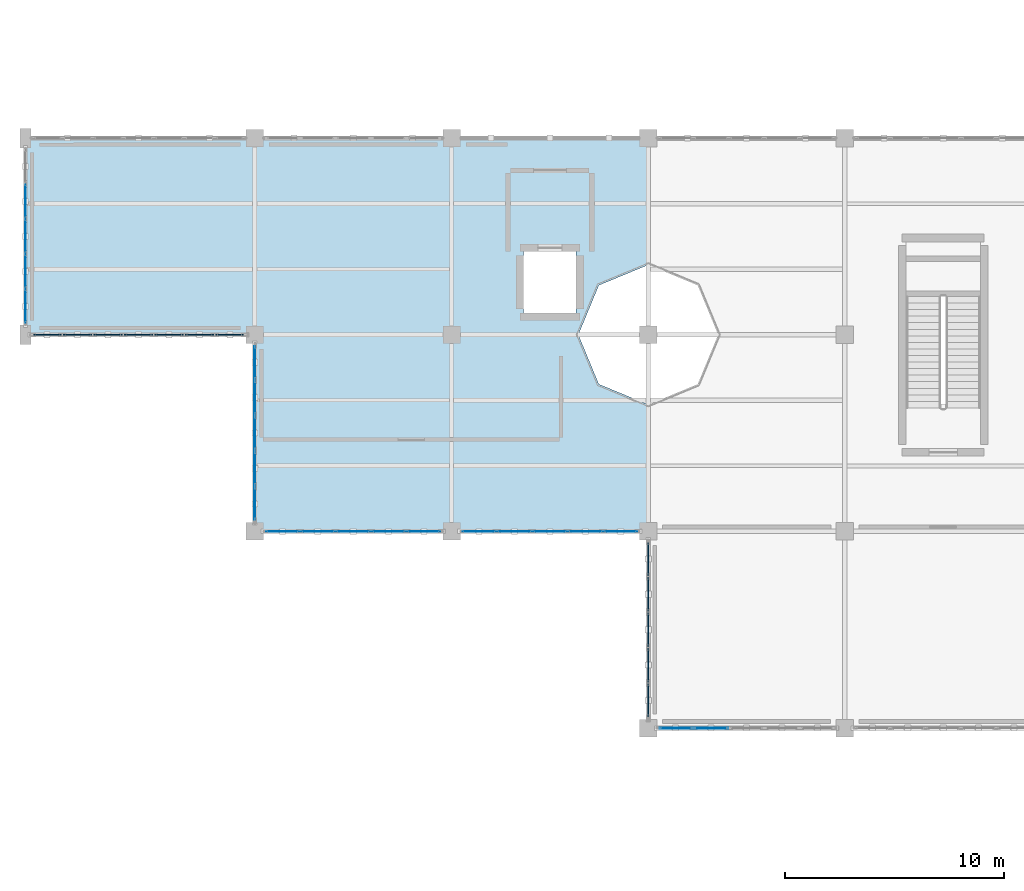
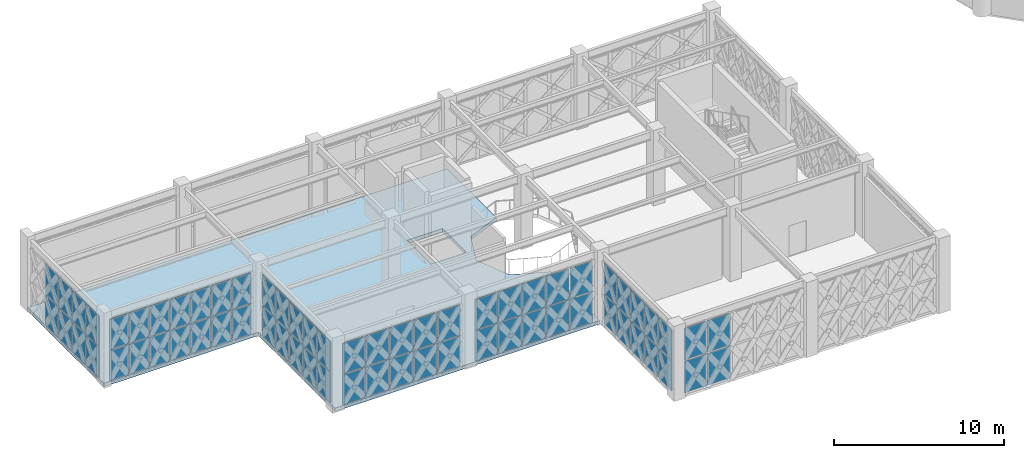
# One storey, part 61 of 86: 66 plates, 1 slab, 7 elements without a shape of their own.
"""IFC4 building model written with IfcOpenShell, lengths in metres."""

from ifc_helpers import new_model, si_unit, direction, frame, origin, origin_2d, place, context, subcontext, project, spatial, polyline, rectangle, outline, extrude, material, layer, layer_set, type_object, element, aggregate, save


model = new_model("IFC4")

# Units and contexts
model_context = context("Model", 3, precision=1e-05, world=origin(), true_north=direction((0.0, 1.0)))
body_context = subcontext(model_context, "Body", "Model", "MODEL_VIEW")
ifc_project = project(units=[si_unit("LENGTHUNIT", "METRE"), si_unit("AREAUNIT", "SQUARE_METRE"), si_unit("VOLUMEUNIT", "CUBIC_METRE"), si_unit("PLANEANGLEUNIT", "RADIAN"), si_unit("MASSUNIT", "GRAM", prefix="KILO")], contexts=[model_context])

# Site, building, storey
site_placement = place(None, origin())
site = spatial("IfcSite", under=ifc_project, at=site_placement, CompositionType="ELEMENT")
building_placement = place(site_placement, origin())
building = spatial("IfcBuilding", under=site, at=building_placement, Name="Haizhuo Lancet Aquarium", CompositionType="ELEMENT")
storey_placement = place(building_placement, frame((0.0, 0.0, 16.199951171875)))
storey = spatial("IfcBuildingStorey", under=building, at=storey_placement, Name="L03", CompositionType="ELEMENT", Elevation=16.199951171875)

# Curtain wall, plates
ifc_material_1 = material(Name="Aluminium 6063-T6", Category="aluminium")
curtain_wall_type_1 = type_object("IfcCurtainWallType", Name="CWD-8010x4550", PredefinedType="NOTDEFINED", material=ifc_material_1)
curtain_wall_1_placement = place(storey_placement, origin())
curtain_wall_1 = element("IfcCurtainWall", 1, at=curtain_wall_1_placement, inside=storey, type_object=curtain_wall_type_1, Name="L03 curtain wall CW-V6-L03-229", PredefinedType="NOTDEFINED")
ifc_material_2 = material(Name="Laminated Low-E Glass", Category="glass")
ifc_layer_1 = layer(ifc_material_2, 0.028076171875)
ifc_layer_set_1 = layer_set([ifc_layer_1], Name="Laminated Low-E Glass")
plate_type_1 = type_object("IfcPlateType", Name="CW-PNL-1", PredefinedType="CURTAIN_PANEL", material=ifc_layer_set_1)
plate_1_placement = place(storey_placement, frame((-82.5, -16.68798828125, 0.06494140625), z_axis=(0.0, 0.0, 1.0), x_axis=(0.0, 1.0, 0.0)))
plate_1 = element("IfcPlate", 2, at=plate_1_placement, type_object=plate_type_1, Name="CWD-80x45 panel 1.1", PredefinedType="CURTAIN_PANEL", context=body_context, shape_type="SweptSolid", body=[
    extrude(rectangle(XDim=1.50390625, YDim=0.028076171875, at=origin_2d()), origin(), (0.0, 0.0, 1.0), 2.177978515625),
])
plate_2_placement = place(storey_placement, frame((-82.5, -16.68798828125, 2.30712890625), z_axis=(0.0, 0.0, 1.0), x_axis=(0.0, 1.0, 0.0)))
plate_2 = element("IfcPlate", 3, at=plate_2_placement, type_object=plate_type_1, Name="CWD-80x45 panel 1.2", PredefinedType="CURTAIN_PANEL", context=body_context, shape_type="SweptSolid", body=[
    extrude(rectangle(XDim=1.50390625, YDim=0.028076171875, at=origin_2d()), origin(), (0.0, 0.0, 1.0), 2.177978515625),
])
plate_3_placement = place(storey_placement, frame((-82.5, -15.10205078125, 0.06494140625), z_axis=(0.0, 0.0, 1.0), x_axis=(0.0, 1.0, 0.0)))
plate_3 = element("IfcPlate", 4, at=plate_3_placement, type_object=plate_type_1, Name="CWD-80x45 panel 2.1", PredefinedType="CURTAIN_PANEL", context=body_context, shape_type="SweptSolid", body=[
    extrude(rectangle(XDim=1.537109375, YDim=0.028076171875, at=origin_2d()), origin(), (0.0, 0.0, 1.0), 2.177978515625),
])
plate_4_placement = place(storey_placement, frame((-82.5, -15.10205078125, 2.30712890625), z_axis=(0.0, 0.0, 1.0), x_axis=(0.0, 1.0, 0.0)))
plate_4 = element("IfcPlate", 5, at=plate_4_placement, type_object=plate_type_1, Name="CWD-80x45 panel 2.2", PredefinedType="CURTAIN_PANEL", context=body_context, shape_type="SweptSolid", body=[
    extrude(rectangle(XDim=1.537109375, YDim=0.028076171875, at=origin_2d()), origin(), (0.0, 0.0, 1.0), 2.177978515625),
])
plate_5_placement = place(storey_placement, frame((-82.5, -13.5, 0.06494140625), z_axis=(0.0, 0.0, 1.0), x_axis=(0.0, 1.0, 0.0)))
plate_5 = element("IfcPlate", 6, at=plate_5_placement, type_object=plate_type_1, Name="CWD-80x45 panel 3.1", PredefinedType="CURTAIN_PANEL", context=body_context, shape_type="SweptSolid", body=[
    extrude(rectangle(XDim=1.537109375, YDim=0.028076171875, at=origin_2d()), origin(), (0.0, 0.0, 1.0), 2.177978515625),
])
plate_6_placement = place(storey_placement, frame((-82.5, -13.5, 2.30712890625), z_axis=(0.0, 0.0, 1.0), x_axis=(0.0, 1.0, 0.0)))
plate_6 = element("IfcPlate", 7, at=plate_6_placement, type_object=plate_type_1, Name="CWD-80x45 panel 3.2", PredefinedType="CURTAIN_PANEL", context=body_context, shape_type="SweptSolid", body=[
    extrude(rectangle(XDim=1.537109375, YDim=0.028076171875, at=origin_2d()), origin(), (0.0, 0.0, 1.0), 2.177978515625),
])
plate_7_placement = place(storey_placement, frame((-82.5, -11.89794921875, 0.06494140625), z_axis=(0.0, 0.0, 1.0), x_axis=(0.0, 1.0, 0.0)))
plate_7 = element("IfcPlate", 8, at=plate_7_placement, type_object=plate_type_1, Name="CWD-80x45 panel 4.1", PredefinedType="CURTAIN_PANEL", context=body_context, shape_type="SweptSolid", body=[
    extrude(rectangle(XDim=1.537109375, YDim=0.028076171875, at=origin_2d()), origin(), (0.0, 0.0, 1.0), 2.177978515625),
])
plate_8_placement = place(storey_placement, frame((-82.5, -11.89794921875, 2.30712890625), z_axis=(0.0, 0.0, 1.0), x_axis=(0.0, 1.0, 0.0)))
plate_8 = element("IfcPlate", 9, at=plate_8_placement, type_object=plate_type_1, Name="CWD-80x45 panel 4.2", PredefinedType="CURTAIN_PANEL", context=body_context, shape_type="SweptSolid", body=[
    extrude(rectangle(XDim=1.537109375, YDim=0.028076171875, at=origin_2d()), origin(), (0.0, 0.0, 1.0), 2.177978515625),
])
aggregate(curtain_wall_1, [plate_1, plate_2, plate_3, plate_4, plate_5, plate_6, plate_7, plate_8])

curtain_wall_type_2 = type_object("IfcCurtainWallType", Name="CWD-8110x4550", PredefinedType="NOTDEFINED", material=ifc_material_1)
curtain_wall_2_placement = place(storey_placement, origin())
curtain_wall_2 = element("IfcCurtainWall", 10, at=curtain_wall_2_placement, inside=storey, type_object=curtain_wall_type_2, Name="L03 curtain wall CW-V6-L03-241", PredefinedType="NOTDEFINED")
plate_9_placement = place(storey_placement, frame((-55.27197265625, -27.0, 0.06494140625), z_axis=(0.0, 0.0, 1.0), x_axis=(-1.0, 0.0, 0.0)))
plate_9 = element("IfcPlate", 11, at=plate_9_placement, type_object=plate_type_1, Name="CWD-81x45 panel 1.1", PredefinedType="CURTAIN_PANEL", context=body_context, shape_type="SweptSolid", body=[
    extrude(rectangle(XDim=1.52392578125, YDim=0.028076171875, at=origin_2d()), origin(), (0.0, 0.0, 1.0), 2.177978515625),
])
plate_10_placement = place(storey_placement, frame((-55.27197265625, -27.0, 2.30712890625), z_axis=(0.0, 0.0, 1.0), x_axis=(-1.0, 0.0, 0.0)))
plate_10 = element("IfcPlate", 12, at=plate_10_placement, type_object=plate_type_1, Name="CWD-81x45 panel 1.2", PredefinedType="CURTAIN_PANEL", context=body_context, shape_type="SweptSolid", body=[
    extrude(rectangle(XDim=1.52392578125, YDim=0.028076171875, at=origin_2d()), origin(), (0.0, 0.0, 1.0), 2.177978515625),
])
plate_11_placement = place(storey_placement, frame((-56.8779296875, -27.0, 0.06494140625), z_axis=(0.0, 0.0, 1.0), x_axis=(-1.0, 0.0, 0.0)))
plate_11 = element("IfcPlate", 13, at=plate_11_placement, type_object=plate_type_1, Name="CWD-81x45 panel 2.1", PredefinedType="CURTAIN_PANEL", context=body_context, shape_type="SweptSolid", body=[
    extrude(rectangle(XDim=1.556884765625, YDim=0.028076171875, at=origin_2d()), origin(), (0.0, 0.0, 1.0), 2.177978515625),
])
plate_12_placement = place(storey_placement, frame((-56.8779296875, -27.0, 2.30712890625), z_axis=(0.0, 0.0, 1.0), x_axis=(-1.0, 0.0, 0.0)))
plate_12 = element("IfcPlate", 14, at=plate_12_placement, type_object=plate_type_1, Name="CWD-81x45 panel 2.2", PredefinedType="CURTAIN_PANEL", context=body_context, shape_type="SweptSolid", body=[
    extrude(rectangle(XDim=1.556884765625, YDim=0.028076171875, at=origin_2d()), origin(), (0.0, 0.0, 1.0), 2.177978515625),
])
plate_13_placement = place(storey_placement, frame((-58.5, -27.0, 0.06494140625), z_axis=(0.0, 0.0, 1.0), x_axis=(-1.0, 0.0, 0.0)))
plate_13 = element("IfcPlate", 15, at=plate_13_placement, type_object=plate_type_1, Name="CWD-81x45 panel 3.1", PredefinedType="CURTAIN_PANEL", context=body_context, shape_type="SweptSolid", body=[
    extrude(rectangle(XDim=1.556884765625, YDim=0.028076171875, at=origin_2d()), origin(), (0.0, 0.0, 1.0), 2.177978515625),
])
plate_14_placement = place(storey_placement, frame((-58.5, -27.0, 2.30712890625), z_axis=(0.0, 0.0, 1.0), x_axis=(-1.0, 0.0, 0.0)))
plate_14 = element("IfcPlate", 16, at=plate_14_placement, type_object=plate_type_1, Name="CWD-81x45 panel 3.2", PredefinedType="CURTAIN_PANEL", context=body_context, shape_type="SweptSolid", body=[
    extrude(rectangle(XDim=1.556884765625, YDim=0.028076171875, at=origin_2d()), origin(), (0.0, 0.0, 1.0), 2.177978515625),
])
plate_15_placement = place(storey_placement, frame((-60.1220703125, -27.0, 0.06494140625), z_axis=(0.0, 0.0, 1.0), x_axis=(-1.0, 0.0, 0.0)))
plate_15 = element("IfcPlate", 17, at=plate_15_placement, type_object=plate_type_1, Name="CWD-81x45 panel 4.1", PredefinedType="CURTAIN_PANEL", context=body_context, shape_type="SweptSolid", body=[
    extrude(rectangle(XDim=1.556884765625, YDim=0.028076171875, at=origin_2d()), origin(), (0.0, 0.0, 1.0), 2.177978515625),
])
plate_16_placement = place(storey_placement, frame((-60.1220703125, -27.0, 2.30712890625), z_axis=(0.0, 0.0, 1.0), x_axis=(-1.0, 0.0, 0.0)))
plate_16 = element("IfcPlate", 18, at=plate_16_placement, type_object=plate_type_1, Name="CWD-81x45 panel 4.2", PredefinedType="CURTAIN_PANEL", context=body_context, shape_type="SweptSolid", body=[
    extrude(rectangle(XDim=1.556884765625, YDim=0.028076171875, at=origin_2d()), origin(), (0.0, 0.0, 1.0), 2.177978515625),
])
plate_17_placement = place(storey_placement, frame((-61.72802734375, -27.0, 0.06494140625), z_axis=(0.0, 0.0, 1.0), x_axis=(-1.0, 0.0, 0.0)))
plate_17 = element("IfcPlate", 19, at=plate_17_placement, type_object=plate_type_1, Name="CWD-81x45 panel 5.1", PredefinedType="CURTAIN_PANEL", context=body_context, shape_type="SweptSolid", body=[
    extrude(rectangle(XDim=1.52392578125, YDim=0.028076171875, at=origin_2d()), origin(), (0.0, 0.0, 1.0), 2.177978515625),
])
plate_18_placement = place(storey_placement, frame((-61.72802734375, -27.0, 2.30712890625), z_axis=(0.0, 0.0, 1.0), x_axis=(-1.0, 0.0, 0.0)))
plate_18 = element("IfcPlate", 20, at=plate_18_placement, type_object=plate_type_1, Name="CWD-81x45 panel 5.2", PredefinedType="CURTAIN_PANEL", context=body_context, shape_type="SweptSolid", body=[
    extrude(rectangle(XDim=1.52392578125, YDim=0.028076171875, at=origin_2d()), origin(), (0.0, 0.0, 1.0), 2.177978515625),
])
aggregate(curtain_wall_2, [plate_9, plate_10, plate_11, plate_12, plate_13, plate_14, plate_15, plate_16, plate_17, plate_18])

curtain_wall_3_placement = place(storey_placement, origin())
curtain_wall_3 = element("IfcCurtainWall", 21, at=curtain_wall_3_placement, inside=storey, type_object=curtain_wall_type_2, Name="L03 curtain wall CW-V6-L03-242", PredefinedType="NOTDEFINED")
ifc_layer_2 = layer(ifc_material_2, 0.033935546875)
ifc_layer_set_2 = layer_set([ifc_layer_2], Name="Laminated Low-E Glass")
plate_type_2 = type_object("IfcPlateType", Name="CW-PNL-2", PredefinedType="CURTAIN_PANEL", material=ifc_layer_set_2)
plate_19_placement = place(storey_placement, frame((-64.27490234375, -27.0, 0.074951171875), z_axis=(0.0, 0.0, 1.0), x_axis=(-1.0, 0.0, 0.0)))
plate_19 = element("IfcPlate", 22, at=plate_19_placement, type_object=plate_type_2, Name="CWD-81x45 panel 1.1", PredefinedType="CURTAIN_PANEL", context=body_context, shape_type="SweptSolid", body=[
    extrude(rectangle(XDim=1.510009765625, YDim=0.033935546875, at=origin_2d()), origin(), (0.0, 0.0, 1.0), 2.162109375),
])
plate_20_placement = place(storey_placement, frame((-64.27490234375, -27.0, 2.31298828125), z_axis=(0.0, 0.0, 1.0), x_axis=(-1.0, 0.0, 0.0)))
plate_20 = element("IfcPlate", 23, at=plate_20_placement, type_object=plate_type_2, Name="CWD-81x45 panel 1.2", PredefinedType="CURTAIN_PANEL", context=body_context, shape_type="SweptSolid", body=[
    extrude(rectangle(XDim=1.510009765625, YDim=0.033935546875, at=origin_2d()), origin(), (0.0, 0.0, 1.0), 2.162109375),
])
plate_21_placement = place(storey_placement, frame((-65.8779296875, -27.0, 0.074951171875), z_axis=(0.0, 0.0, 1.0), x_axis=(-1.0, 0.0, 0.0)))
plate_21 = element("IfcPlate", 24, at=plate_21_placement, type_object=plate_type_2, Name="CWD-81x45 panel 2.1", PredefinedType="CURTAIN_PANEL", context=body_context, shape_type="SweptSolid", body=[
    extrude(rectangle(XDim=1.547119140625, YDim=0.033935546875, at=origin_2d()), origin(), (0.0, 0.0, 1.0), 2.162109375),
])
plate_22_placement = place(storey_placement, frame((-65.8779296875, -27.0, 2.31298828125), z_axis=(0.0, 0.0, 1.0), x_axis=(-1.0, 0.0, 0.0)))
plate_22 = element("IfcPlate", 25, at=plate_22_placement, type_object=plate_type_2, Name="CWD-81x45 panel 2.2", PredefinedType="CURTAIN_PANEL", context=body_context, shape_type="SweptSolid", body=[
    extrude(rectangle(XDim=1.547119140625, YDim=0.033935546875, at=origin_2d()), origin(), (0.0, 0.0, 1.0), 2.162109375),
])
plate_23_placement = place(storey_placement, frame((-67.5, -27.0, 0.074951171875), z_axis=(0.0, 0.0, 1.0), x_axis=(-1.0, 0.0, 0.0)))
plate_23 = element("IfcPlate", 26, at=plate_23_placement, type_object=plate_type_2, Name="CWD-81x45 panel 3.1", PredefinedType="CURTAIN_PANEL", context=body_context, shape_type="SweptSolid", body=[
    extrude(rectangle(XDim=1.547119140625, YDim=0.033935546875, at=origin_2d()), origin(), (0.0, 0.0, 1.0), 2.162109375),
])
plate_24_placement = place(storey_placement, frame((-67.5, -27.0, 2.31298828125), z_axis=(0.0, 0.0, 1.0), x_axis=(-1.0, 0.0, 0.0)))
plate_24 = element("IfcPlate", 27, at=plate_24_placement, type_object=plate_type_2, Name="CWD-81x45 panel 3.2", PredefinedType="CURTAIN_PANEL", context=body_context, shape_type="SweptSolid", body=[
    extrude(rectangle(XDim=1.547119140625, YDim=0.033935546875, at=origin_2d()), origin(), (0.0, 0.0, 1.0), 2.162109375),
])
plate_25_placement = place(storey_placement, frame((-69.1220703125, -27.0, 0.074951171875), z_axis=(0.0, 0.0, 1.0), x_axis=(-1.0, 0.0, 0.0)))
plate_25 = element("IfcPlate", 28, at=plate_25_placement, type_object=plate_type_2, Name="CWD-81x45 panel 4.1", PredefinedType="CURTAIN_PANEL", context=body_context, shape_type="SweptSolid", body=[
    extrude(rectangle(XDim=1.547119140625, YDim=0.033935546875, at=origin_2d()), origin(), (0.0, 0.0, 1.0), 2.162109375),
])
plate_26_placement = place(storey_placement, frame((-69.1220703125, -27.0, 2.31298828125), z_axis=(0.0, 0.0, 1.0), x_axis=(-1.0, 0.0, 0.0)))
plate_26 = element("IfcPlate", 29, at=plate_26_placement, type_object=plate_type_2, Name="CWD-81x45 panel 4.2", PredefinedType="CURTAIN_PANEL", context=body_context, shape_type="SweptSolid", body=[
    extrude(rectangle(XDim=1.547119140625, YDim=0.033935546875, at=origin_2d()), origin(), (0.0, 0.0, 1.0), 2.162109375),
])
plate_27_placement = place(storey_placement, frame((-70.72509765625, -27.0, 0.074951171875), z_axis=(0.0, 0.0, 1.0), x_axis=(-1.0, 0.0, 0.0)))
plate_27 = element("IfcPlate", 30, at=plate_27_placement, type_object=plate_type_2, Name="CWD-81x45 panel 5.1", PredefinedType="CURTAIN_PANEL", context=body_context, shape_type="SweptSolid", body=[
    extrude(rectangle(XDim=1.510009765625, YDim=0.033935546875, at=origin_2d()), origin(), (0.0, 0.0, 1.0), 2.162109375),
])
plate_28_placement = place(storey_placement, frame((-70.72509765625, -27.0, 2.31298828125), z_axis=(0.0, 0.0, 1.0), x_axis=(-1.0, 0.0, 0.0)))
plate_28 = element("IfcPlate", 31, at=plate_28_placement, type_object=plate_type_2, Name="CWD-81x45 panel 5.2", PredefinedType="CURTAIN_PANEL", context=body_context, shape_type="SweptSolid", body=[
    extrude(rectangle(XDim=1.510009765625, YDim=0.033935546875, at=origin_2d()), origin(), (0.0, 0.0, 1.0), 2.162109375),
])
aggregate(curtain_wall_3, [plate_19, plate_20, plate_21, plate_22, plate_23, plate_24, plate_25, plate_26, plate_27, plate_28])

curtain_wall_type_3 = type_object("IfcCurtainWallType", Name="CWD-8110x4800", PredefinedType="NOTDEFINED", material=ifc_material_1)
curtain_wall_4_placement = place(storey_placement, origin())
curtain_wall_4 = element("IfcCurtainWall", 32, at=curtain_wall_4_placement, inside=storey, type_object=curtain_wall_type_3, Name="L03 curtain wall CW-V6-L03-239", PredefinedType="NOTDEFINED")
ifc_layer_3 = layer(ifc_material_2, 0.0419921875)
ifc_layer_set_3 = layer_set([ifc_layer_3], Name="Laminated Low-E Glass")
plate_type_3 = type_object("IfcPlateType", Name="CW-PNL-3", PredefinedType="CURTAIN_PANEL", material=ifc_layer_set_3)
plate_29_placement = place(storey_placement, frame((-51.1220703125, -36.0, 0.075439453125), z_axis=(0.0, 0.0, 1.0), x_axis=(-1.0, 0.0, 0.0)))
plate_29 = element("IfcPlate", 33, at=plate_29_placement, type_object=plate_type_3, Name="CWD-81x48 panel 4.1", PredefinedType="CURTAIN_PANEL", context=body_context, shape_type="SweptSolid", body=[
    extrude(rectangle(XDim=1.547119140625, YDim=0.0419921875, at=origin_2d()), origin(), (0.0, 0.0, 1.0), 2.287109375),
])
plate_30_placement = place(storey_placement, frame((-51.1220703125, -36.0, 2.4375), z_axis=(0.0, 0.0, 1.0), x_axis=(-1.0, 0.0, 0.0)))
plate_30 = element("IfcPlate", 34, at=plate_30_placement, type_object=plate_type_3, Name="CWD-81x48 panel 4.2", PredefinedType="CURTAIN_PANEL", context=body_context, shape_type="SweptSolid", body=[
    extrude(rectangle(XDim=1.547119140625, YDim=0.0419921875, at=origin_2d()), origin(), (0.0, 0.0, 1.0), 2.287109375),
])
plate_31_placement = place(storey_placement, frame((-52.72509765625, -36.0, 0.075439453125), z_axis=(0.0, 0.0, 1.0), x_axis=(-1.0, 0.0, 0.0)))
plate_31 = element("IfcPlate", 35, at=plate_31_placement, type_object=plate_type_3, Name="CWD-81x48 panel 5.1", PredefinedType="CURTAIN_PANEL", context=body_context, shape_type="SweptSolid", body=[
    extrude(rectangle(XDim=1.510009765625, YDim=0.0419921875, at=origin_2d()), origin(), (0.0, 0.0, 1.0), 2.287109375),
])
plate_32_placement = place(storey_placement, frame((-52.72509765625, -36.0, 2.4375), z_axis=(0.0, 0.0, 1.0), x_axis=(-1.0, 0.0, 0.0)))
plate_32 = element("IfcPlate", 36, at=plate_32_placement, type_object=plate_type_3, Name="CWD-81x48 panel 5.2", PredefinedType="CURTAIN_PANEL", context=body_context, shape_type="SweptSolid", body=[
    extrude(rectangle(XDim=1.510009765625, YDim=0.0419921875, at=origin_2d()), origin(), (0.0, 0.0, 1.0), 2.287109375),
])
aggregate(curtain_wall_4, [plate_29, plate_30, plate_31, plate_32])

curtain_wall_5_placement = place(storey_placement, origin())
curtain_wall_5 = element("IfcCurtainWall", 37, at=curtain_wall_5_placement, inside=storey, type_object=curtain_wall_type_2, Name="L03 curtain wall CW-V6-L03-243", PredefinedType="NOTDEFINED")
plate_33_placement = place(storey_placement, frame((-72.0, -25.72412109375, 0.08056640625), z_axis=(0.0, 0.0, 1.0), x_axis=(0.0, 1.0, 0.0)))
plate_33 = element("IfcPlate", 38, at=plate_33_placement, type_object=plate_type_3, Name="CWD-81x45 panel 1.1", PredefinedType="CURTAIN_PANEL", context=body_context, shape_type="SweptSolid", body=[
    extrude(rectangle(XDim=1.501953125, YDim=0.0419921875, at=origin_2d()), origin(), (0.0, 0.0, 1.0), 2.155029296875),
])
plate_34_placement = place(storey_placement, frame((-72.0, -25.72412109375, 2.3154296875), z_axis=(0.0, 0.0, 1.0), x_axis=(0.0, 1.0, 0.0)))
plate_34 = element("IfcPlate", 39, at=plate_34_placement, type_object=plate_type_3, Name="CWD-81x45 panel 1.2", PredefinedType="CURTAIN_PANEL", context=body_context, shape_type="SweptSolid", body=[
    extrude(rectangle(XDim=1.501953125, YDim=0.0419921875, at=origin_2d()), origin(), (0.0, 0.0, 1.0), 2.155029296875),
])
plate_35_placement = place(storey_placement, frame((-72.0, -24.1220703125, 0.08056640625), z_axis=(0.0, 0.0, 1.0), x_axis=(0.0, 1.0, 0.0)))
plate_35 = element("IfcPlate", 40, at=plate_35_placement, type_object=plate_type_3, Name="CWD-81x45 panel 2.1", PredefinedType="CURTAIN_PANEL", context=body_context, shape_type="SweptSolid", body=[
    extrude(rectangle(XDim=1.5419921875, YDim=0.0419921875, at=origin_2d()), origin(), (0.0, 0.0, 1.0), 2.155029296875),
])
plate_36_placement = place(storey_placement, frame((-72.0, -24.1220703125, 2.3154296875), z_axis=(0.0, 0.0, 1.0), x_axis=(0.0, 1.0, 0.0)))
plate_36 = element("IfcPlate", 41, at=plate_36_placement, type_object=plate_type_3, Name="CWD-81x45 panel 2.2", PredefinedType="CURTAIN_PANEL", context=body_context, shape_type="SweptSolid", body=[
    extrude(rectangle(XDim=1.5419921875, YDim=0.0419921875, at=origin_2d()), origin(), (0.0, 0.0, 1.0), 2.155029296875),
])
plate_37_placement = place(storey_placement, frame((-72.0, -22.5, 0.08056640625), z_axis=(0.0, 0.0, 1.0), x_axis=(0.0, 1.0, 0.0)))
plate_37 = element("IfcPlate", 42, at=plate_37_placement, type_object=plate_type_3, Name="CWD-81x45 panel 3.1", PredefinedType="CURTAIN_PANEL", context=body_context, shape_type="SweptSolid", body=[
    extrude(rectangle(XDim=1.5419921875, YDim=0.0419921875, at=origin_2d()), origin(), (0.0, 0.0, 1.0), 2.155029296875),
])
plate_38_placement = place(storey_placement, frame((-72.0, -22.5, 2.3154296875), z_axis=(0.0, 0.0, 1.0), x_axis=(0.0, 1.0, 0.0)))
plate_38 = element("IfcPlate", 43, at=plate_38_placement, type_object=plate_type_3, Name="CWD-81x45 panel 3.2", PredefinedType="CURTAIN_PANEL", context=body_context, shape_type="SweptSolid", body=[
    extrude(rectangle(XDim=1.5419921875, YDim=0.0419921875, at=origin_2d()), origin(), (0.0, 0.0, 1.0), 2.155029296875),
])
plate_39_placement = place(storey_placement, frame((-72.0, -20.8779296875, 0.08056640625), z_axis=(0.0, 0.0, 1.0), x_axis=(0.0, 1.0, 0.0)))
plate_39 = element("IfcPlate", 44, at=plate_39_placement, type_object=plate_type_3, Name="CWD-81x45 panel 4.1", PredefinedType="CURTAIN_PANEL", context=body_context, shape_type="SweptSolid", body=[
    extrude(rectangle(XDim=1.5419921875, YDim=0.0419921875, at=origin_2d()), origin(), (0.0, 0.0, 1.0), 2.155029296875),
])
plate_40_placement = place(storey_placement, frame((-72.0, -20.8779296875, 2.3154296875), z_axis=(0.0, 0.0, 1.0), x_axis=(0.0, 1.0, 0.0)))
plate_40 = element("IfcPlate", 45, at=plate_40_placement, type_object=plate_type_3, Name="CWD-81x45 panel 4.2", PredefinedType="CURTAIN_PANEL", context=body_context, shape_type="SweptSolid", body=[
    extrude(rectangle(XDim=1.5419921875, YDim=0.0419921875, at=origin_2d()), origin(), (0.0, 0.0, 1.0), 2.155029296875),
])
plate_41_placement = place(storey_placement, frame((-72.0, -19.27587890625, 0.08056640625), z_axis=(0.0, 0.0, 1.0), x_axis=(0.0, 1.0, 0.0)))
plate_41 = element("IfcPlate", 46, at=plate_41_placement, type_object=plate_type_3, Name="CWD-81x45 panel 5.1", PredefinedType="CURTAIN_PANEL", context=body_context, shape_type="SweptSolid", body=[
    extrude(rectangle(XDim=1.501953125, YDim=0.0419921875, at=origin_2d()), origin(), (0.0, 0.0, 1.0), 2.155029296875),
])
plate_42_placement = place(storey_placement, frame((-72.0, -19.27587890625, 2.3154296875), z_axis=(0.0, 0.0, 1.0), x_axis=(0.0, 1.0, 0.0)))
plate_42 = element("IfcPlate", 47, at=plate_42_placement, type_object=plate_type_3, Name="CWD-81x45 panel 5.2", PredefinedType="CURTAIN_PANEL", context=body_context, shape_type="SweptSolid", body=[
    extrude(rectangle(XDim=1.501953125, YDim=0.0419921875, at=origin_2d()), origin(), (0.0, 0.0, 1.0), 2.155029296875),
])
aggregate(curtain_wall_5, [plate_33, plate_34, plate_35, plate_36, plate_37, plate_38, plate_39, plate_40, plate_41, plate_42])

curtain_wall_type_4 = type_object("IfcCurtainWallType", Name="CWD-9760x4550", PredefinedType="NOTDEFINED", material=ifc_material_1)
curtain_wall_6_placement = place(storey_placement, origin())
curtain_wall_6 = element("IfcCurtainWall", 48, at=curtain_wall_6_placement, inside=storey, type_object=curtain_wall_type_4, Name="L03 curtain wall CW-V6-L03-228", PredefinedType="NOTDEFINED")
ifc_layer_4 = layer(ifc_material_2, 0.052001953125)
ifc_layer_set_4 = layer_set([ifc_layer_4], Name="Laminated Low-E Glass")
plate_type_4 = type_object("IfcPlateType", Name="CW-PNL-4", PredefinedType="CURTAIN_PANEL", material=ifc_layer_set_4)
plate_43_placement = place(storey_placement, frame((-73.162109375, -18.0, 0.08056640625), z_axis=(0.0, 0.0, 1.0), x_axis=(-1.0, 0.0, 0.0)))
plate_43 = element("IfcPlate", 49, at=plate_43_placement, type_object=plate_type_4, Name="CWD-97x45 panel 1.1", PredefinedType="CURTAIN_PANEL", context=body_context, shape_type="SweptSolid", body=[
    extrude(rectangle(XDim=1.27392578125, YDim=0.052001953125, at=origin_2d()), origin(), (0.0, 0.0, 1.0), 2.155029296875),
])
plate_44_placement = place(storey_placement, frame((-73.162109375, -18.0, 2.3154296875), z_axis=(0.0, 0.0, 1.0), x_axis=(-1.0, 0.0, 0.0)))
plate_44 = element("IfcPlate", 50, at=plate_44_placement, type_object=plate_type_4, Name="CWD-97x45 panel 1.2", PredefinedType="CURTAIN_PANEL", context=body_context, shape_type="SweptSolid", body=[
    extrude(rectangle(XDim=1.27392578125, YDim=0.052001953125, at=origin_2d()), origin(), (0.0, 0.0, 1.0), 2.155029296875),
])
plate_45_placement = place(storey_placement, frame((-74.535888671875, -18.0, 0.08056640625), z_axis=(0.0, 0.0, 1.0), x_axis=(-1.0, 0.0, 0.0)))
plate_45 = element("IfcPlate", 51, at=plate_45_placement, type_object=plate_type_4, Name="CWD-97x45 panel 2.1", PredefinedType="CURTAIN_PANEL", context=body_context, shape_type="SweptSolid", body=[
    extrude(rectangle(XDim=1.31396484375, YDim=0.052001953125, at=origin_2d()), origin(), (0.0, 0.0, 1.0), 2.155029296875),
])
plate_46_placement = place(storey_placement, frame((-74.535888671875, -18.0, 2.3154296875), z_axis=(0.0, 0.0, 1.0), x_axis=(-1.0, 0.0, 0.0)))
plate_46 = element("IfcPlate", 52, at=plate_46_placement, type_object=plate_type_4, Name="CWD-97x45 panel 2.2", PredefinedType="CURTAIN_PANEL", context=body_context, shape_type="SweptSolid", body=[
    extrude(rectangle(XDim=1.31396484375, YDim=0.052001953125, at=origin_2d()), origin(), (0.0, 0.0, 1.0), 2.155029296875),
])
plate_47_placement = place(storey_placement, frame((-75.930908203125, -18.0, 0.08056640625), z_axis=(0.0, 0.0, 1.0), x_axis=(-1.0, 0.0, 0.0)))
plate_47 = element("IfcPlate", 53, at=plate_47_placement, type_object=plate_type_4, Name="CWD-97x45 panel 3.1", PredefinedType="CURTAIN_PANEL", context=body_context, shape_type="SweptSolid", body=[
    extrude(rectangle(XDim=1.31396484375, YDim=0.052001953125, at=origin_2d()), origin(), (0.0, 0.0, 1.0), 2.155029296875),
])
plate_48_placement = place(storey_placement, frame((-75.930908203125, -18.0, 2.3154296875), z_axis=(0.0, 0.0, 1.0), x_axis=(-1.0, 0.0, 0.0)))
plate_48 = element("IfcPlate", 54, at=plate_48_placement, type_object=plate_type_4, Name="CWD-97x45 panel 3.2", PredefinedType="CURTAIN_PANEL", context=body_context, shape_type="SweptSolid", body=[
    extrude(rectangle(XDim=1.31396484375, YDim=0.052001953125, at=origin_2d()), origin(), (0.0, 0.0, 1.0), 2.155029296875),
])
plate_49_placement = place(storey_placement, frame((-77.324951171875, -18.0, 0.08056640625), z_axis=(0.0, 0.0, 1.0), x_axis=(-1.0, 0.0, 0.0)))
plate_49 = element("IfcPlate", 55, at=plate_49_placement, type_object=plate_type_4, Name="CWD-97x45 panel 4.1", PredefinedType="CURTAIN_PANEL", context=body_context, shape_type="SweptSolid", body=[
    extrude(rectangle(XDim=1.31396484375, YDim=0.052001953125, at=origin_2d()), origin(), (0.0, 0.0, 1.0), 2.155029296875),
])
plate_50_placement = place(storey_placement, frame((-77.324951171875, -18.0, 2.3154296875), z_axis=(0.0, 0.0, 1.0), x_axis=(-1.0, 0.0, 0.0)))
plate_50 = element("IfcPlate", 56, at=plate_50_placement, type_object=plate_type_4, Name="CWD-97x45 panel 4.2", PredefinedType="CURTAIN_PANEL", context=body_context, shape_type="SweptSolid", body=[
    extrude(rectangle(XDim=1.31396484375, YDim=0.052001953125, at=origin_2d()), origin(), (0.0, 0.0, 1.0), 2.155029296875),
])
plate_51_placement = place(storey_placement, frame((-78.718994140625, -18.0, 0.08056640625), z_axis=(0.0, 0.0, 1.0), x_axis=(-1.0, 0.0, 0.0)))
plate_51 = element("IfcPlate", 57, at=plate_51_placement, type_object=plate_type_4, Name="CWD-97x45 panel 5.1", PredefinedType="CURTAIN_PANEL", context=body_context, shape_type="SweptSolid", body=[
    extrude(rectangle(XDim=1.31396484375, YDim=0.052001953125, at=origin_2d()), origin(), (0.0, 0.0, 1.0), 2.155029296875),
])
plate_52_placement = place(storey_placement, frame((-78.718994140625, -18.0, 2.3154296875), z_axis=(0.0, 0.0, 1.0), x_axis=(-1.0, 0.0, 0.0)))
plate_52 = element("IfcPlate", 58, at=plate_52_placement, type_object=plate_type_4, Name="CWD-97x45 panel 5.2", PredefinedType="CURTAIN_PANEL", context=body_context, shape_type="SweptSolid", body=[
    extrude(rectangle(XDim=1.31396484375, YDim=0.052001953125, at=origin_2d()), origin(), (0.0, 0.0, 1.0), 2.155029296875),
])
plate_53_placement = place(storey_placement, frame((-80.114013671875, -18.0, 0.08056640625), z_axis=(0.0, 0.0, 1.0), x_axis=(-1.0, 0.0, 0.0)))
plate_53 = element("IfcPlate", 59, at=plate_53_placement, type_object=plate_type_4, Name="CWD-97x45 panel 6.1", PredefinedType="CURTAIN_PANEL", context=body_context, shape_type="SweptSolid", body=[
    extrude(rectangle(XDim=1.31396484375, YDim=0.052001953125, at=origin_2d()), origin(), (0.0, 0.0, 1.0), 2.155029296875),
])
plate_54_placement = place(storey_placement, frame((-80.114013671875, -18.0, 2.3154296875), z_axis=(0.0, 0.0, 1.0), x_axis=(-1.0, 0.0, 0.0)))
plate_54 = element("IfcPlate", 60, at=plate_54_placement, type_object=plate_type_4, Name="CWD-97x45 panel 6.2", PredefinedType="CURTAIN_PANEL", context=body_context, shape_type="SweptSolid", body=[
    extrude(rectangle(XDim=1.31396484375, YDim=0.052001953125, at=origin_2d()), origin(), (0.0, 0.0, 1.0), 2.155029296875),
])
plate_55_placement = place(storey_placement, frame((-81.488037109375, -18.0, 0.08056640625), z_axis=(0.0, 0.0, 1.0), x_axis=(-1.0, 0.0, 0.0)))
plate_55 = element("IfcPlate", 61, at=plate_55_placement, type_object=plate_type_4, Name="CWD-97x45 panel 7.1", PredefinedType="CURTAIN_PANEL", context=body_context, shape_type="SweptSolid", body=[
    extrude(rectangle(XDim=1.27392578125, YDim=0.052001953125, at=origin_2d()), origin(), (0.0, 0.0, 1.0), 2.155029296875),
])
plate_56_placement = place(storey_placement, frame((-81.488037109375, -18.0, 2.3154296875), z_axis=(0.0, 0.0, 1.0), x_axis=(-1.0, 0.0, 0.0)))
plate_56 = element("IfcPlate", 62, at=plate_56_placement, type_object=plate_type_4, Name="CWD-97x45 panel 7.2", PredefinedType="CURTAIN_PANEL", context=body_context, shape_type="SweptSolid", body=[
    extrude(rectangle(XDim=1.27392578125, YDim=0.052001953125, at=origin_2d()), origin(), (0.0, 0.0, 1.0), 2.155029296875),
])
aggregate(curtain_wall_6, [plate_43, plate_44, plate_45, plate_46, plate_47, plate_48, plate_49, plate_50, plate_51, plate_52, plate_53, plate_54, plate_55, plate_56])

curtain_wall_7_placement = place(storey_placement, origin())
curtain_wall_7 = element("IfcCurtainWall", 63, at=curtain_wall_7_placement, inside=storey, type_object=curtain_wall_type_2, Name="L03 curtain wall CW-V6-L03-240", PredefinedType="NOTDEFINED")
plate_57_placement = place(storey_placement, frame((-54.0, -34.72412109375, 0.08056640625), z_axis=(0.0, 0.0, 1.0), x_axis=(0.0, 1.0, 0.0)))
plate_57 = element("IfcPlate", 64, at=plate_57_placement, type_object=plate_type_4, Name="CWD-81x45 panel 1.1", PredefinedType="CURTAIN_PANEL", context=body_context, shape_type="SweptSolid", body=[
    extrude(rectangle(XDim=1.501953125, YDim=0.052001953125, at=origin_2d()), origin(), (0.0, 0.0, 1.0), 2.155029296875),
])
plate_58_placement = place(storey_placement, frame((-54.0, -34.72412109375, 2.3154296875), z_axis=(0.0, 0.0, 1.0), x_axis=(0.0, 1.0, 0.0)))
plate_58 = element("IfcPlate", 65, at=plate_58_placement, type_object=plate_type_4, Name="CWD-81x45 panel 1.2", PredefinedType="CURTAIN_PANEL", context=body_context, shape_type="SweptSolid", body=[
    extrude(rectangle(XDim=1.501953125, YDim=0.052001953125, at=origin_2d()), origin(), (0.0, 0.0, 1.0), 2.155029296875),
])
plate_59_placement = place(storey_placement, frame((-54.0, -33.1220703125, 0.08056640625), z_axis=(0.0, 0.0, 1.0), x_axis=(0.0, 1.0, 0.0)))
plate_59 = element("IfcPlate", 66, at=plate_59_placement, type_object=plate_type_4, Name="CWD-81x45 panel 2.1", PredefinedType="CURTAIN_PANEL", context=body_context, shape_type="SweptSolid", body=[
    extrude(rectangle(XDim=1.5419921875, YDim=0.052001953125, at=origin_2d()), origin(), (0.0, 0.0, 1.0), 2.155029296875),
])
plate_60_placement = place(storey_placement, frame((-54.0, -33.1220703125, 2.3154296875), z_axis=(0.0, 0.0, 1.0), x_axis=(0.0, 1.0, 0.0)))
plate_60 = element("IfcPlate", 67, at=plate_60_placement, type_object=plate_type_4, Name="CWD-81x45 panel 2.2", PredefinedType="CURTAIN_PANEL", context=body_context, shape_type="SweptSolid", body=[
    extrude(rectangle(XDim=1.5419921875, YDim=0.052001953125, at=origin_2d()), origin(), (0.0, 0.0, 1.0), 2.155029296875),
])
plate_61_placement = place(storey_placement, frame((-54.0, -31.5, 0.08056640625), z_axis=(0.0, 0.0, 1.0), x_axis=(0.0, 1.0, 0.0)))
plate_61 = element("IfcPlate", 68, at=plate_61_placement, type_object=plate_type_4, Name="CWD-81x45 panel 3.1", PredefinedType="CURTAIN_PANEL", context=body_context, shape_type="SweptSolid", body=[
    extrude(rectangle(XDim=1.5419921875, YDim=0.052001953125, at=origin_2d()), origin(), (0.0, 0.0, 1.0), 2.155029296875),
])
plate_62_placement = place(storey_placement, frame((-54.0, -31.5, 2.3154296875), z_axis=(0.0, 0.0, 1.0), x_axis=(0.0, 1.0, 0.0)))
plate_62 = element("IfcPlate", 69, at=plate_62_placement, type_object=plate_type_4, Name="CWD-81x45 panel 3.2", PredefinedType="CURTAIN_PANEL", context=body_context, shape_type="SweptSolid", body=[
    extrude(rectangle(XDim=1.5419921875, YDim=0.052001953125, at=origin_2d()), origin(), (0.0, 0.0, 1.0), 2.155029296875),
])
plate_63_placement = place(storey_placement, frame((-54.0, -29.8779296875, 0.08056640625), z_axis=(0.0, 0.0, 1.0), x_axis=(0.0, 1.0, 0.0)))
plate_63 = element("IfcPlate", 70, at=plate_63_placement, type_object=plate_type_4, Name="CWD-81x45 panel 4.1", PredefinedType="CURTAIN_PANEL", context=body_context, shape_type="SweptSolid", body=[
    extrude(rectangle(XDim=1.5419921875, YDim=0.052001953125, at=origin_2d()), origin(), (0.0, 0.0, 1.0), 2.155029296875),
])
plate_64_placement = place(storey_placement, frame((-54.0, -29.8779296875, 2.3154296875), z_axis=(0.0, 0.0, 1.0), x_axis=(0.0, 1.0, 0.0)))
plate_64 = element("IfcPlate", 71, at=plate_64_placement, type_object=plate_type_4, Name="CWD-81x45 panel 4.2", PredefinedType="CURTAIN_PANEL", context=body_context, shape_type="SweptSolid", body=[
    extrude(rectangle(XDim=1.5419921875, YDim=0.052001953125, at=origin_2d()), origin(), (0.0, 0.0, 1.0), 2.155029296875),
])
plate_65_placement = place(storey_placement, frame((-54.0, -28.27587890625, 0.08056640625), z_axis=(0.0, 0.0, 1.0), x_axis=(0.0, 1.0, 0.0)))
plate_65 = element("IfcPlate", 72, at=plate_65_placement, type_object=plate_type_4, Name="CWD-81x45 panel 5.1", PredefinedType="CURTAIN_PANEL", context=body_context, shape_type="SweptSolid", body=[
    extrude(rectangle(XDim=1.501953125, YDim=0.052001953125, at=origin_2d()), origin(), (0.0, 0.0, 1.0), 2.155029296875),
])
plate_66_placement = place(storey_placement, frame((-54.0, -28.27587890625, 2.3154296875), z_axis=(0.0, 0.0, 1.0), x_axis=(0.0, 1.0, 0.0)))
plate_66 = element("IfcPlate", 73, at=plate_66_placement, type_object=plate_type_4, Name="CWD-81x45 panel 5.2", PredefinedType="CURTAIN_PANEL", context=body_context, shape_type="SweptSolid", body=[
    extrude(rectangle(XDim=1.501953125, YDim=0.052001953125, at=origin_2d()), origin(), (0.0, 0.0, 1.0), 2.155029296875),
])
aggregate(curtain_wall_7, [plate_57, plate_58, plate_59, plate_60, plate_61, plate_62, plate_63, plate_64, plate_65, plate_66])

# Slab
ifc_material_3 = material(Name="Concrete C40/50", Category="concrete")
ifc_layer_5 = layer(ifc_material_3, 0.239990234375)
ifc_layer_set_5 = layer_set([ifc_layer_5], Name="Concrete C40/50")
slab_type = type_object("IfcSlabType", Name="SLB-L03-240", PredefinedType="FLOOR", material=ifc_layer_set_5)
slab_placement = place(storey_placement, frame((0.0, 0.0, -0.239990234375)))
element("IfcSlab", 74, at=slab_placement, inside=storey, type_object=slab_type, Name="L03 structural slab SL-L03-V6-01", PredefinedType="FLOOR", context=body_context, shape_type="SweptSolid", body=[
    extrude(outline(polyline([(-72.0, -18.0), (-72.0, -27.0), (-54.0, -27.0), (-54.0, -21.199951171875), (-56.262939453125, -20.262939453125), (-57.199951171875, -18.0), (-56.262939453125, -15.737060546875), (-54.0, -14.800048828125), (-54.0, -9.0), (-82.5, -9.0), (-82.5, -18.0), (-72.0, -18.0)]), holes=[polyline([(-59.699951171875, -14.199951171875), (-59.699951171875, -17.0), (-57.300048828125, -17.0), (-57.300048828125, -14.199951171875), (-59.699951171875, -14.199951171875)])]), origin(), (0.0, 0.0, 1.0), 0.239990234375),
])

save(model, "model.ifc")
